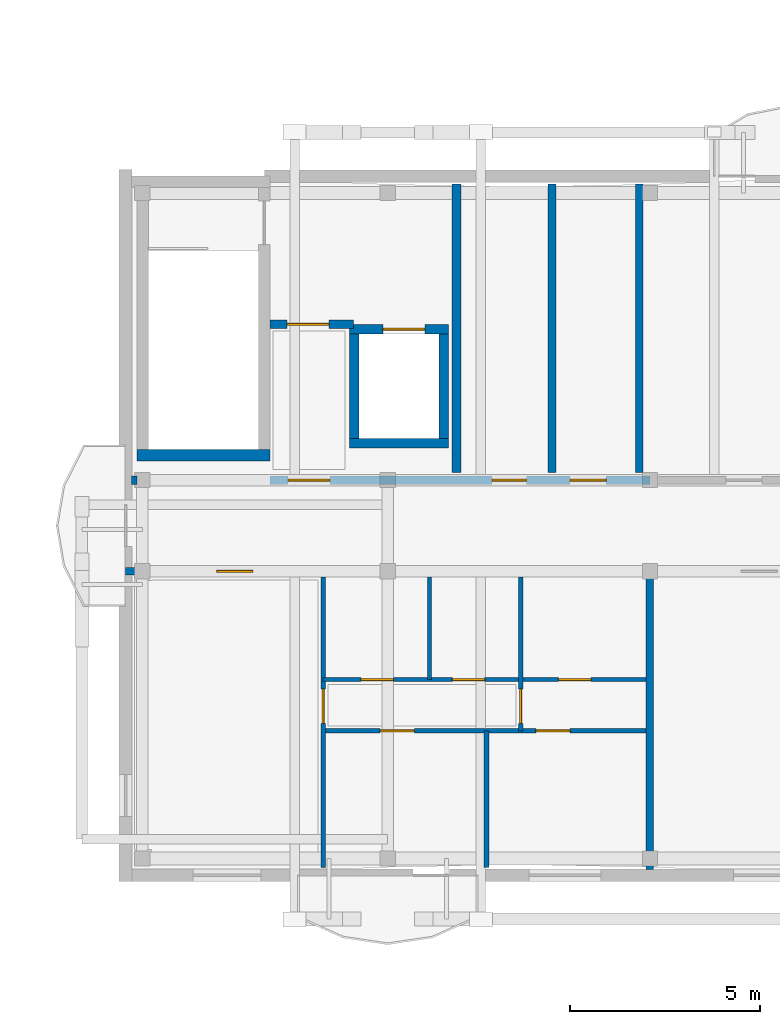
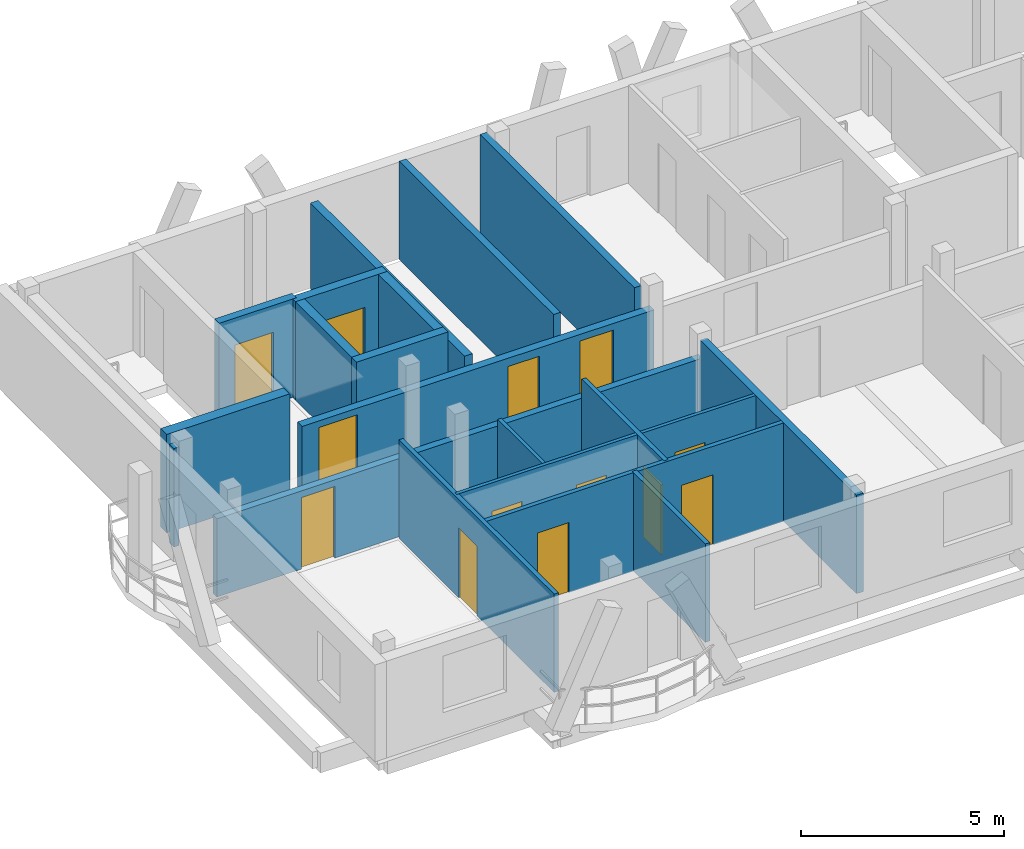
# One storey, part 24 of 41: 19 walls, 13 doors, 13 openings.
"""IFC4 building model written with IfcOpenShell, lengths in metres."""

from ifc_helpers import new_model, si_unit, direction, frame, frame_2d, origin, origin_with_axes, place, context, subcontext, project, spatial, rectangle, extrude, material, layer, layer_set, type_object, element, fill, save


model = new_model("IFC4")

# Units and contexts
model_context = context("Model", 3, precision=1e-05, world=origin(), true_north=direction((0.0, 1.0)))
body_context = subcontext(model_context, "Body", "Model", "MODEL_VIEW")
ifc_project = project(units=[si_unit("LENGTHUNIT", "METRE"), si_unit("AREAUNIT", "SQUARE_METRE"), si_unit("VOLUMEUNIT", "CUBIC_METRE"), si_unit("PLANEANGLEUNIT", "RADIAN"), si_unit("MASSUNIT", "GRAM", prefix="KILO")], contexts=[model_context])

# Site, building, storey
site_placement = place(None, origin())
site = spatial("IfcSite", under=ifc_project, at=site_placement, CompositionType="ELEMENT")
building_placement = place(site_placement, origin())
building = spatial("IfcBuilding", under=site, at=building_placement, Name="Zavelmont Quarter", CompositionType="ELEMENT")
storey_placement = place(building_placement, frame((0.0, 0.0, 27.199951171875)))
storey = spatial("IfcBuildingStorey", under=building, at=storey_placement, Name="L08", CompositionType="ELEMENT", Elevation=27.199951171875)

# Walls
ifc_material_1 = material(Name="Calcium-silicate blockwork and acoustic plaster", Category="masonry")
ifc_layer_1 = layer(ifc_material_1, 0.199951171875)
ifc_layer_set_1 = layer_set([ifc_layer_1], Name="Calcium-silicate blockwork and acoustic plaster")
wall_type_1 = type_object("IfcWallType", Name="IW01", PredefinedType="PARTITIONING", material=ifc_layer_set_1)
for number, where, z_axis, x_axis, name in (
    (1, (137.824951171875, 10.60009765625, 0.0), (0.0, 0.0, 1.0), (0.0, 1.0, 0.0), "L08 Service riser divider wall IW01"),
    (2, (140.1201171875, 10.60009765625, 0.0), (0.0, 0.0, 1.0), (0.0, 1.0, 0.0), "L08 Core service end wall IW01"),
):
    element("IfcWall", number, at=place(storey_placement, frame(where, z_axis=z_axis, x_axis=x_axis)), inside=storey, type_object=wall_type_1, Name=name, PredefinedType="PARTITIONING", context=body_context, shape_type="SweptSolid", body=[
        extrude(rectangle(XDim=7.599853515625, YDim=0.199951171875, at=frame_2d((3.7998046875, 0.0))), origin(), (0.0, 0.0, 1.0), 2.9599609375),
    ])
wall_1_placement = place(storey_placement, frame((140.39990234375, 7.85009765625, 0.0), z_axis=(0.0, 0.0, 1.0), x_axis=(0.0, -1.0, 0.0)))
element("IfcWall", 3, at=wall_1_placement, inside=storey, type_object=wall_type_1, Name="L08 Inter-dwelling compartment wall IW01", PredefinedType="PARTITIONING", context=body_context, shape_type="SweptSolid", body=[
    extrude(rectangle(XDim=7.7001953125, YDim=0.199951171875, at=frame_2d((3.85009765625, 0.0))), origin(), (0.0, 0.0, 1.0), 2.9599609375),
])

# Wall, opening, door
wall_2_placement = place(storey_placement, frame((126.60009765625, 8.0, 0.0), z_axis=(0.0, 0.0, 1.0), x_axis=(1.0, 0.0, 0.0)))
wall_2 = element("IfcWall", 4, at=wall_2_placement, inside=storey, type_object=wall_type_1, Name="L08 Corridor compartment wall IW01", PredefinedType="PARTITIONING", context=body_context, shape_type="SweptSolid", body=[
    extrude(rectangle(XDim=13.7998046875, YDim=0.199951171875, at=frame_2d((6.89990234375, 0.0))), origin(), (0.0, 0.0, 1.0), 2.35009765625),
])
opening_1_placement = place(wall_2_placement, frame((2.39990234375, 0.0, 0.0)))
opening_1 = element("IfcOpeningElement", 5, at=opening_1_placement, cuts=wall_2, Name="Opening DR02", PredefinedType="OPENING", context=body_context, shape_type="SweptSolid", body=[
    extrude(rectangle(XDim=0.949951171875, YDim=2.14990234375, at=frame_2d((0.47509765625, 1.074951171875))), frame((0.0, 0.11181640625, 0.0), z_axis=(0.0, -1.0, 0.0), x_axis=(1.0, 0.0, 0.0)), (0.0, 0.0, 1.0), 0.223876953125),
])
ifc_material_2 = material(Name="Solid-core oak fire leaf in steel frame", Category="steel")
door_type_1 = type_object("IfcDoorType", Name="DR02", OperationType="NOTDEFINED", PredefinedType="DOOR", material=ifc_material_2)
door_1_placement = place(opening_1_placement, frame((0.949951171875, 0.0, 0.0), z_axis=(0.0, 0.0, 1.0), x_axis=(-1.0, 0.0, 0.0)))
door_1 = element("IfcDoor", 6, at=door_1_placement, inside=storey, type_object=door_type_1, Name="L08 door DR02", OperationType="SINGLE_SWING_LEFT", OverallHeight=2.14990234375, OverallWidth=0.949951171875, PredefinedType="DOOR", context=body_context, shape_type="SweptSolid", body=[
    extrude(rectangle(XDim=0.949951171875, YDim=2.14990234375, at=frame_2d((0.47509765625, 1.074951171875))), frame((0.0, 0.02490234375, 0.0), z_axis=(0.0, -1.0, 0.0), x_axis=(1.0, 0.0, 0.0)), (0.0, 0.0, 1.0), 0.050048828125),
])
fill(opening_1, door_1)

# Wall
ifc_material_3 = material(Name="Reinforced masonry fire compartment wall", Category="masonry")
ifc_layer_2 = layer(ifc_material_3, 0.22509765625)
ifc_layer_set_2 = layer_set([ifc_layer_2], Name="Reinforced masonry fire compartment wall")
wall_type_2 = type_object("IfcWallType", Name="IW02", PredefinedType="PARTITIONING", material=ifc_layer_set_2)
wall_3_placement = place(storey_placement, frame((135.31005859375, 10.60009765625, 0.0), z_axis=(0.0, 0.0, 1.0), x_axis=(0.0, 1.0, 0.0)))
element("IfcWall", 7, at=wall_3_placement, inside=storey, type_object=wall_type_2, Name="L08 Firefighting lobby enclosure wall IW02", PredefinedType="PARTITIONING", context=body_context, shape_type="SweptSolid", body=[
    extrude(rectangle(XDim=7.599853515625, YDim=0.22509765625, at=frame_2d((3.7998046875, 0.0))), origin(), (0.0, 0.0, 1.0), 2.590087890625),
])

# Wall, opening, door
wall_4_placement = place(storey_placement, frame((130.39990234375, 14.5, 0.0), z_axis=(0.0, 0.0, 1.0), x_axis=(1.0, 0.0, 0.0)))
wall_4 = element("IfcWall", 8, at=wall_4_placement, inside=storey, type_object=wall_type_2, Name="L08 Firefighting lobby threshold wall IW02", PredefinedType="PARTITIONING", context=body_context, shape_type="SweptSolid", body=[
    extrude(rectangle(XDim=2.2001953125, YDim=0.22509765625, at=frame_2d((1.10009765625, 0.0))), origin(), (0.0, 0.0, 1.0), 2.9599609375),
])
opening_2_placement = place(wall_4_placement, frame((0.449951171875, 0.0, 0.0)))
opening_2 = element("IfcOpeningElement", 9, at=opening_2_placement, cuts=wall_4, Name="Opening DR10", PredefinedType="OPENING", context=body_context, shape_type="SweptSolid", body=[
    extrude(rectangle(XDim=1.10009765625, YDim=2.14990234375, at=frame_2d((0.550048828125, 1.074951171875))), frame((0.0, 0.12451171875, 0.0), z_axis=(0.0, -1.0, 0.0), x_axis=(1.0, 0.0, 0.0)), (0.0, 0.0, 1.0), 0.2490234375),
])
ifc_material_4 = material(Name="Painted steel lobby fire door", Category="steel")
door_type_2 = type_object("IfcDoorType", Name="DR10", OperationType="NOTDEFINED", PredefinedType="DOOR", material=ifc_material_4)
door_2_placement = place(opening_2_placement, origin_with_axes())
door_2 = element("IfcDoor", 10, at=door_2_placement, inside=storey, type_object=door_type_2, Name="Firefighting lobby fire door", OperationType="SINGLE_SWING_RIGHT", OverallHeight=2.14990234375, OverallWidth=1.10009765625, PredefinedType="DOOR", context=body_context, shape_type="SweptSolid", body=[
    extrude(rectangle(XDim=1.10009765625, YDim=2.14990234375, at=frame_2d((0.550048828125, 1.074951171875))), frame((0.0, 0.02490234375, 0.0), z_axis=(0.0, -1.0, 0.0), x_axis=(1.0, 0.0, 0.0)), (0.0, 0.0, 1.0), 0.050048828125),
])
fill(opening_2, door_2)

# Wall
wall_5_placement = place(storey_placement, frame((126.75, 10.39990234375, 0.0), z_axis=(0.0, 0.0, 1.0), x_axis=(1.0, 0.0, 0.0)))
element("IfcWall", 11, at=wall_5_placement, inside=storey, type_object=wall_type_2, Name="L08 Core corridor wall IW02", PredefinedType="PARTITIONING", context=body_context, shape_type="SweptSolid", body=[
    extrude(rectangle(XDim=0.14990234375, YDim=0.22509765625, at=frame_2d((0.074951171875, 0.0))), origin(), (0.0, 0.0, 1.0), 2.9599609375),
])

# Wall, openings, doors
wall_6_placement = place(storey_placement, frame((130.39990234375, 10.39990234375, 0.0), z_axis=(0.0, 0.0, 1.0), x_axis=(1.0, 0.0, 0.0)))
wall_6 = element("IfcWall", 12, at=wall_6_placement, inside=storey, type_object=wall_type_2, Name="L08 Core corridor fire wall IW02", PredefinedType="PARTITIONING", context=body_context, shape_type="SweptSolid", body=[
    extrude(rectangle(XDim=10.0, YDim=0.22509765625, at=frame_2d((5.0, 0.0))), origin(), (0.0, 0.0, 1.0), 2.35009765625),
])
opening_3_placement = place(wall_6_placement, frame((0.47509765625, 0.0, 0.0)))
opening_3 = element("IfcOpeningElement", 13, at=opening_3_placement, cuts=wall_6, Name="Opening DR10", PredefinedType="OPENING", context=body_context, shape_type="SweptSolid", body=[
    extrude(rectangle(XDim=1.10009765625, YDim=2.14990234375, at=frame_2d((0.550048828125, 1.074951171875))), frame((0.0, 0.12451171875, 0.0), z_axis=(0.0, -1.0, 0.0), x_axis=(1.0, 0.0, 0.0)), (0.0, 0.0, 1.0), 0.2490234375),
])
opening_4_placement = place(wall_6_placement, frame((5.85009765625, 0.0, 0.0)))
opening_4 = element("IfcOpeningElement", 14, at=opening_4_placement, cuts=wall_6, Name="Opening DR11", PredefinedType="OPENING", context=body_context, shape_type="SweptSolid", body=[
    extrude(rectangle(XDim=0.89990234375, YDim=2.10009765625, at=frame_2d((0.449951171875, 1.050048828125))), frame((0.0, 0.12451171875, 0.0), z_axis=(0.0, -1.0, 0.0), x_axis=(1.0, 0.0, 0.0)), (0.0, 0.0, 1.0), 0.2490234375),
])
opening_5_placement = place(wall_6_placement, frame((7.89990234375, 0.0, 0.0)))
opening_5 = element("IfcOpeningElement", 15, at=opening_5_placement, cuts=wall_6, Name="Opening DR02", PredefinedType="OPENING", context=body_context, shape_type="SweptSolid", body=[
    extrude(rectangle(XDim=0.949951171875, YDim=2.14990234375, at=frame_2d((0.47509765625, 1.074951171875))), frame((0.0, 0.12451171875, 0.0), z_axis=(0.0, -1.0, 0.0), x_axis=(1.0, 0.0, 0.0)), (0.0, 0.0, 1.0), 0.2490234375),
])
door_3_placement = place(opening_5_placement, frame((0.949951171875, 0.0, 0.0), z_axis=(0.0, 0.0, 1.0), x_axis=(-1.0, 0.0, 0.0)))
door_3 = element("IfcDoor", 16, at=door_3_placement, inside=storey, type_object=door_type_1, Name="Auxiliary store corridor door", OperationType="SINGLE_SWING_RIGHT", OverallHeight=2.14990234375, OverallWidth=0.949951171875, PredefinedType="DOOR", context=body_context, shape_type="SweptSolid", body=[
    extrude(rectangle(XDim=0.949951171875, YDim=2.14990234375, at=frame_2d((0.47509765625, 1.074951171875))), frame((0.0, 0.02490234375, 0.0), z_axis=(0.0, -1.0, 0.0), x_axis=(1.0, 0.0, 0.0)), (0.0, 0.0, 1.0), 0.050048828125),
])
fill(opening_5, door_3)
door_4_placement = place(opening_3_placement, origin_with_axes())
door_4 = element("IfcDoor", 17, at=door_4_placement, inside=storey, type_object=door_type_2, Name="Core vestibule fire door", OperationType="SINGLE_SWING_LEFT", OverallHeight=2.14990234375, OverallWidth=1.10009765625, PredefinedType="DOOR", context=body_context, shape_type="SweptSolid", body=[
    extrude(rectangle(XDim=1.10009765625, YDim=2.14990234375, at=frame_2d((0.550048828125, 1.074951171875))), frame((0.0, 0.02490234375, 0.0), z_axis=(0.0, -1.0, 0.0), x_axis=(1.0, 0.0, 0.0)), (0.0, 0.0, 1.0), 0.050048828125),
])
fill(opening_3, door_4)
ifc_material_5 = material(Name="Painted steel service-riser fire door", Category="steel")
door_type_3 = type_object("IfcDoorType", Name="DR11", OperationType="NOTDEFINED", PredefinedType="DOOR", material=ifc_material_5)
door_5_placement = place(opening_4_placement, frame((0.89990234375, 0.0, 0.0), z_axis=(0.0, 0.0, 1.0), x_axis=(-1.0, 0.0, 0.0)))
door_5 = element("IfcDoor", 18, at=door_5_placement, inside=storey, type_object=door_type_3, Name="Service riser fire door", OperationType="SINGLE_SWING_LEFT", OverallHeight=2.10009765625, OverallWidth=0.89990234375, PredefinedType="DOOR", context=body_context, shape_type="SweptSolid", body=[
    extrude(rectangle(XDim=0.89990234375, YDim=2.10009765625, at=frame_2d((0.449951171875, 1.050048828125))), frame((0.0, 0.02490234375, 0.0), z_axis=(0.0, -1.0, 0.0), x_axis=(1.0, 0.0, 0.0)), (0.0, 0.0, 1.0), 0.050048828125),
])
fill(opening_4, door_5)

# Wall, opening, door
ifc_material_6 = material(Name="Double gypsum board on acoustic steel stud", Category="steel")
ifc_layer_3 = layer(ifc_material_6, 0.125)
ifc_layer_set_3 = layer_set([ifc_layer_3], Name="Double gypsum board on acoustic steel stud")
wall_type_3 = type_object("IfcWallType", Name="IW03", PredefinedType="PARTITIONING", material=ifc_layer_set_3)
wall_7_placement = place(storey_placement, frame((131.800048828125, 7.85009765625, 0.0), z_axis=(0.0, 0.0, 1.0), x_axis=(0.0, -1.0, 0.0)))
wall_7 = element("IfcWall", 19, at=wall_7_placement, inside=storey, type_object=wall_type_3, Name="L08 Partition IW03", PredefinedType="PARTITIONING", context=body_context, shape_type="SweptSolid", body=[
    extrude(rectangle(XDim=7.650146484375, YDim=0.125, at=frame_2d((3.8251953125, 0.0))), origin(), (0.0, 0.0, 1.0), 2.9599609375),
])
opening_6_placement = place(wall_7_placement, frame((2.949951171875, 0.0, 0.0)))
opening_6 = element("IfcOpeningElement", 20, at=opening_6_placement, cuts=wall_7, Name="Opening DR05", PredefinedType="OPENING", context=body_context, shape_type="SweptSolid", body=[
    extrude(rectangle(XDim=0.89990234375, YDim=2.10009765625, at=frame_2d((0.449951171875, 1.050048828125))), frame((0.0, 0.074462890625, 0.0), z_axis=(0.0, -1.0, 0.0), x_axis=(1.0, 0.0, 0.0)), (0.0, 0.0, 1.0), 0.14892578125),
])
ifc_material_7 = material(Name="Engineered oak flush interior door")
door_type_4 = type_object("IfcDoorType", Name="DR05", OperationType="NOTDEFINED", PredefinedType="DOOR", material=ifc_material_7)
door_6_placement = place(opening_6_placement, frame((0.89990234375, 0.0, 0.0), z_axis=(0.0, 0.0, 1.0), x_axis=(-1.0, 0.0, 0.0)))
door_6 = element("IfcDoor", 21, at=door_6_placement, inside=storey, type_object=door_type_4, Name="L08 door DR05", OperationType="SINGLE_SWING_LEFT", OverallHeight=2.10009765625, OverallWidth=0.89990234375, PredefinedType="DOOR", context=body_context, shape_type="SweptSolid", body=[
    extrude(rectangle(XDim=0.89990234375, YDim=2.10009765625, at=frame_2d((0.449951171875, 1.050048828125))), frame((0.0, 0.02490234375, 0.0), z_axis=(0.0, -1.0, 0.0), x_axis=(1.0, 0.0, 0.0)), (0.0, 0.0, 1.0), 0.050048828125),
])
fill(opening_6, door_6)

wall_8_placement = place(storey_placement, frame((137.0, 7.85009765625, 0.0), z_axis=(0.0, 0.0, 1.0), x_axis=(0.0, -1.0, 0.0)))
wall_8 = element("IfcWall", 22, at=wall_8_placement, inside=storey, type_object=wall_type_3, Name="L08 Partition IW03", PredefinedType="PARTITIONING", context=body_context, shape_type="SweptSolid", body=[
    extrude(rectangle(XDim=4.050048828125, YDim=0.125, at=frame_2d((2.02490234375, 0.0))), origin(), (0.0, 0.0, 1.0), 2.9599609375),
])
opening_7_placement = place(wall_8_placement, frame((2.949951171875, 0.0, 0.0)))
opening_7 = element("IfcOpeningElement", 23, at=opening_7_placement, cuts=wall_8, Name="Opening DR05", PredefinedType="OPENING", context=body_context, shape_type="SweptSolid", body=[
    extrude(rectangle(XDim=0.89990234375, YDim=2.10009765625, at=frame_2d((0.449951171875, 1.050048828125))), frame((0.0, 0.074462890625, 0.0), z_axis=(0.0, -1.0, 0.0), x_axis=(1.0, 0.0, 0.0)), (0.0, 0.0, 1.0), 0.14892578125),
])
door_7_placement = place(opening_7_placement, origin_with_axes())
door_7 = element("IfcDoor", 24, at=door_7_placement, inside=storey, type_object=door_type_4, Name="L08 door DR05", OperationType="SINGLE_SWING_RIGHT", OverallHeight=2.10009765625, OverallWidth=0.89990234375, PredefinedType="DOOR", context=body_context, shape_type="SweptSolid", body=[
    extrude(rectangle(XDim=0.89990234375, YDim=2.10009765625, at=frame_2d((0.449951171875, 1.050048828125))), frame((0.0, 0.02490234375, 0.0), z_axis=(0.0, -1.0, 0.0), x_axis=(1.0, 0.0, 0.0)), (0.0, 0.0, 1.0), 0.050048828125),
])
fill(opening_7, door_7)

# Wall
wall_9_placement = place(storey_placement, frame((136.10009765625, 3.800048828125, 0.0), z_axis=(0.0, 0.0, 1.0), x_axis=(0.0, -1.0, 0.0)))
element("IfcWall", 25, at=wall_9_placement, inside=storey, type_object=wall_type_3, Name="L08 Partition IW03", PredefinedType="PARTITIONING", context=body_context, shape_type="SweptSolid", body=[
    extrude(rectangle(XDim=3.60009765625, YDim=0.125, at=frame_2d((1.800048828125, 0.0))), origin(), (0.0, 0.0, 1.0), 2.9599609375),
])

# Wall, openings, doors
wall_10_placement = place(storey_placement, frame((131.800048828125, 3.800048828125, 0.0), z_axis=(0.0, 0.0, 1.0), x_axis=(1.0, 0.0, 0.0)))
wall_10 = element("IfcWall", 26, at=wall_10_placement, inside=storey, type_object=wall_type_3, Name="L08 Partition IW03", PredefinedType="PARTITIONING", context=body_context, shape_type="SweptSolid", body=[
    extrude(rectangle(XDim=8.5, YDim=0.125, at=frame_2d((4.25, 0.0))), origin(), (0.0, 0.0, 1.0), 2.9599609375),
])
opening_8_placement = place(wall_10_placement, frame((1.5, 0.0, 0.0)))
opening_8 = element("IfcOpeningElement", 27, at=opening_8_placement, cuts=wall_10, Name="Opening DR05", PredefinedType="OPENING", context=body_context, shape_type="SweptSolid", body=[
    extrude(rectangle(XDim=0.89990234375, YDim=2.10009765625, at=frame_2d((0.449951171875, 1.050048828125))), frame((0.0, 0.074462890625, 0.0), z_axis=(0.0, -1.0, 0.0), x_axis=(1.0, 0.0, 0.0)), (0.0, 0.0, 1.0), 0.14892578125),
])
opening_9_placement = place(wall_10_placement, frame((5.60009765625, 0.0, 0.0)))
opening_9 = element("IfcOpeningElement", 28, at=opening_9_placement, cuts=wall_10, Name="Opening DR05", PredefinedType="OPENING", context=body_context, shape_type="SweptSolid", body=[
    extrude(rectangle(XDim=0.89990234375, YDim=2.10009765625, at=frame_2d((0.449951171875, 1.050048828125))), frame((0.0, 0.074462890625, 0.0), z_axis=(0.0, -1.0, 0.0), x_axis=(1.0, 0.0, 0.0)), (0.0, 0.0, 1.0), 0.14892578125),
])
door_8_placement = place(opening_8_placement, origin_with_axes())
door_8 = element("IfcDoor", 29, at=door_8_placement, inside=storey, type_object=door_type_4, Name="L08 door DR05", OperationType="SINGLE_SWING_RIGHT", OverallHeight=2.10009765625, OverallWidth=0.89990234375, PredefinedType="DOOR", context=body_context, shape_type="SweptSolid", body=[
    extrude(rectangle(XDim=0.89990234375, YDim=2.10009765625, at=frame_2d((0.449951171875, 1.050048828125))), frame((0.0, 0.02490234375, 0.0), z_axis=(0.0, -1.0, 0.0), x_axis=(1.0, 0.0, 0.0)), (0.0, 0.0, 1.0), 0.050048828125),
])
fill(opening_8, door_8)
door_9_placement = place(opening_9_placement, frame((0.89990234375, 0.0, 0.0), z_axis=(0.0, 0.0, 1.0), x_axis=(-1.0, 0.0, 0.0)))
door_9 = element("IfcDoor", 30, at=door_9_placement, inside=storey, type_object=door_type_4, Name="L08 door DR05", OperationType="SINGLE_SWING_LEFT", OverallHeight=2.10009765625, OverallWidth=0.89990234375, PredefinedType="DOOR", context=body_context, shape_type="SweptSolid", body=[
    extrude(rectangle(XDim=0.89990234375, YDim=2.10009765625, at=frame_2d((0.449951171875, 1.050048828125))), frame((0.0, 0.02490234375, 0.0), z_axis=(0.0, -1.0, 0.0), x_axis=(1.0, 0.0, 0.0)), (0.0, 0.0, 1.0), 0.050048828125),
])
fill(opening_9, door_9)

# Wall
ifc_material_8 = material(Name="Moisture-resistant gypsum board on steel stud", Category="steel")
ifc_layer_4 = layer(ifc_material_8, 0.10009765625)
ifc_layer_set_4 = layer_set([ifc_layer_4], Name="Moisture-resistant gypsum board on steel stud")
wall_type_4 = type_object("IfcWallType", Name="IW04", PredefinedType="PARTITIONING", material=ifc_layer_set_4)
wall_11_placement = place(storey_placement, frame((134.60009765625, 7.85009765625, 0.0), z_axis=(0.0, 0.0, 1.0), x_axis=(0.0, -1.0, 0.0)))
element("IfcWall", 31, at=wall_11_placement, inside=storey, type_object=wall_type_4, Name="L08 Partition IW04", PredefinedType="PARTITIONING", context=body_context, shape_type="SweptSolid", body=[
    extrude(rectangle(XDim=2.7001953125, YDim=0.10009765625, at=frame_2d((1.35009765625, 0.0))), origin(), (0.0, 0.0, 1.0), 2.590087890625),
])

# Wall, openings, doors
wall_12_placement = place(storey_placement, frame((131.800048828125, 5.14990234375, 0.0), z_axis=(0.0, 0.0, 1.0), x_axis=(1.0, 0.0, 0.0)))
wall_12 = element("IfcWall", 32, at=wall_12_placement, inside=storey, type_object=wall_type_4, Name="L08 Partition IW04", PredefinedType="PARTITIONING", context=body_context, shape_type="SweptSolid", body=[
    extrude(rectangle(XDim=8.5, YDim=0.10009765625, at=frame_2d((4.25, 0.0))), origin(), (0.0, 0.0, 1.0), 2.9599609375),
])
opening_10_placement = place(wall_12_placement, frame((1.0, 0.0, 0.0)))
opening_10 = element("IfcOpeningElement", 33, at=opening_10_placement, cuts=wall_12, Name="Opening DR16", PredefinedType="OPENING", context=body_context, shape_type="SweptSolid", body=[
    extrude(rectangle(XDim=0.85009765625, YDim=2.10009765625, at=frame_2d((0.425048828125, 1.050048828125))), frame((0.0, 0.06201171875, 0.0), z_axis=(0.0, -1.0, 0.0), x_axis=(1.0, 0.0, 0.0)), (0.0, 0.0, 1.0), 0.1240234375),
])
opening_11_placement = place(wall_12_placement, frame((3.39990234375, 0.0, 0.0)))
opening_11 = element("IfcOpeningElement", 34, at=opening_11_placement, cuts=wall_12, Name="Opening DR06", PredefinedType="OPENING", context=body_context, shape_type="SweptSolid", body=[
    extrude(rectangle(XDim=0.85009765625, YDim=2.050048828125, at=frame_2d((0.425048828125, 1.02490234375))), frame((0.0, 0.06201171875, 0.0), z_axis=(0.0, -1.0, 0.0), x_axis=(1.0, 0.0, 0.0)), (0.0, 0.0, 1.0), 0.1240234375),
])
opening_12_placement = place(wall_12_placement, frame((6.199951171875, 0.0, 0.0)))
opening_12 = element("IfcOpeningElement", 35, at=opening_12_placement, cuts=wall_12, Name="Opening DR06", PredefinedType="OPENING", context=body_context, shape_type="SweptSolid", body=[
    extrude(rectangle(XDim=0.85009765625, YDim=2.050048828125, at=frame_2d((0.425048828125, 1.02490234375))), frame((0.0, 0.06201171875, 0.0), z_axis=(0.0, -1.0, 0.0), x_axis=(1.0, 0.0, 0.0)), (0.0, 0.0, 1.0), 0.1240234375),
])
ifc_material_9 = material(Name="Moisture-resistant painted wet-room door")
door_type_5 = type_object("IfcDoorType", Name="DR06", OperationType="NOTDEFINED", PredefinedType="DOOR", material=ifc_material_9)
door_10_placement = place(opening_11_placement, origin_with_axes())
door_10 = element("IfcDoor", 36, at=door_10_placement, inside=storey, type_object=door_type_5, Name="L08 door DR06", OperationType="SINGLE_SWING_RIGHT", OverallHeight=2.050048828125, OverallWidth=0.85009765625, PredefinedType="DOOR", context=body_context, shape_type="SweptSolid", body=[
    extrude(rectangle(XDim=0.85009765625, YDim=2.050048828125, at=frame_2d((0.425048828125, 1.02490234375))), frame((0.0, 0.02490234375, 0.0), z_axis=(0.0, -1.0, 0.0), x_axis=(1.0, 0.0, 0.0)), (0.0, 0.0, 1.0), 0.050048828125),
])
fill(opening_11, door_10)
door_11_placement = place(opening_12_placement, frame((0.85009765625, 0.0, 0.0), z_axis=(0.0, 0.0, 1.0), x_axis=(-1.0, 0.0, 0.0)))
door_11 = element("IfcDoor", 37, at=door_11_placement, inside=storey, type_object=door_type_5, Name="L08 door DR06", OperationType="SINGLE_SWING_LEFT", OverallHeight=2.050048828125, OverallWidth=0.85009765625, PredefinedType="DOOR", context=body_context, shape_type="SweptSolid", body=[
    extrude(rectangle(XDim=0.85009765625, YDim=2.050048828125, at=frame_2d((0.425048828125, 1.02490234375))), frame((0.0, 0.02490234375, 0.0), z_axis=(0.0, -1.0, 0.0), x_axis=(1.0, 0.0, 0.0)), (0.0, 0.0, 1.0), 0.050048828125),
])
fill(opening_12, door_11)
door_type_6 = type_object("IfcDoorType", Name="DR16", OperationType="NOTDEFINED", PredefinedType="DOOR", material=ifc_material_7)
door_12_placement = place(opening_10_placement, frame((0.85009765625, 0.0, 0.0), z_axis=(0.0, 0.0, 1.0), x_axis=(-1.0, 0.0, 0.0)))
door_12 = element("IfcDoor", 38, at=door_12_placement, inside=storey, type_object=door_type_6, Name="L08 door DR16", OperationType="SINGLE_SWING_LEFT", OverallHeight=2.10009765625, OverallWidth=0.85009765625, PredefinedType="DOOR", context=body_context, shape_type="SweptSolid", body=[
    extrude(rectangle(XDim=0.85009765625, YDim=2.10009765625, at=frame_2d((0.425048828125, 1.050048828125))), frame((0.0, 0.02490234375, 0.0), z_axis=(0.0, -1.0, 0.0), x_axis=(1.0, 0.0, 0.0)), (0.0, 0.0, 1.0), 0.050048828125),
])
fill(opening_10, door_12)

# Wall
ifc_material_10 = material(Name="Concrete C40/50", Category="concrete")
ifc_layer_5 = layer(ifc_material_10, 0.300048828125)
ifc_layer_set_5 = layer_set([ifc_layer_5], Name="Concrete C40/50")
wall_type_5 = type_object("IfcWallType", Name="SW01", PredefinedType="SHEAR", material=ifc_layer_set_5)
wall_13_placement = place(storey_placement, frame((126.89990234375, 11.050048828125, 0.0), z_axis=(0.0, 0.0, 1.0), x_axis=(1.0, 0.0, 0.0)))
element("IfcWall", 39, at=wall_13_placement, inside=storey, type_object=wall_type_5, Name="L08 ST07 corridor shear wall SW01", PredefinedType="SHEAR", context=body_context, shape_type="SweptSolid", body=[
    extrude(rectangle(XDim=3.5, YDim=0.300048828125, at=frame_2d((1.75, 0.0))), origin(), (0.0, 0.0, 1.0), 2.9599609375),
])

# Wall, opening, door
ifc_layer_6 = layer(ifc_material_10, 0.25)
ifc_layer_set_6 = layer_set([ifc_layer_6], Name="Concrete C40/50")
wall_type_6 = type_object("IfcWallType", Name="SW02", PredefinedType="SHEAR", material=ifc_layer_set_6)
wall_14_placement = place(storey_placement, frame((132.5, 14.375, 0.0), z_axis=(0.0, 0.0, 1.0), x_axis=(1.0, 0.0, 0.0)))
wall_14 = element("IfcWall", 40, at=wall_14_placement, inside=storey, type_object=wall_type_6, Name="L08 Lift FL04 landing shaft wall SW02", PredefinedType="SHEAR", context=body_context, shape_type="SweptSolid", body=[
    extrude(rectangle(XDim=2.60009765625, YDim=0.25, at=frame_2d((1.300048828125, 0.0))), origin(), (0.0, 0.0, 1.0), 2.9599609375),
])
opening_13_placement = place(wall_14_placement, frame((0.875, 0.0, 0.0)))
opening_13 = element("IfcOpeningElement", 41, at=opening_13_placement, cuts=wall_14, Name="Opening LD02", PredefinedType="OPENING", context=body_context, shape_type="SweptSolid", body=[
    extrude(rectangle(XDim=1.10009765625, YDim=2.10009765625, at=frame_2d((0.550048828125, 1.050048828125))), frame((0.0, 0.136962890625, 0.0), z_axis=(0.0, -1.0, 0.0), x_axis=(1.0, 0.0, 0.0)), (0.0, 0.0, 1.0), 0.27392578125),
])
ifc_material_11 = material(Name="Brushed stainless-steel firefighting lift landing door", Category="steel")
door_type_7 = type_object("IfcDoorType", Name="LD02", OperationType="SLIDING_TO_LEFT", PredefinedType="DOOR", material=ifc_material_11)
door_13_placement = place(opening_13_placement, origin_with_axes())
door_13 = element("IfcDoor", 42, at=door_13_placement, inside=storey, type_object=door_type_7, Name="Lift FL04 sliding landing door", OperationType="SLIDING_TO_LEFT", OverallHeight=2.10009765625, OverallWidth=1.10009765625, PredefinedType="DOOR", context=body_context, shape_type="SweptSolid", body=[
    extrude(rectangle(XDim=1.10009765625, YDim=2.10009765625, at=frame_2d((0.550048828125, 1.050048828125))), frame((0.0, 0.02490234375, 0.0), z_axis=(0.0, -1.0, 0.0), x_axis=(1.0, 0.0, 0.0)), (0.0, 0.0, 1.0), 0.050048828125),
])
fill(opening_13, door_13)

# Walls
wall_15_placement = place(storey_placement, frame((132.5, 11.375, 0.0), z_axis=(0.0, 0.0, 1.0), x_axis=(1.0, 0.0, 0.0)))
element("IfcWall", 43, at=wall_15_placement, inside=storey, type_object=wall_type_6, Name="L08 Lift FL04 back shaft wall SW02", PredefinedType="SHEAR", context=body_context, shape_type="SweptSolid", body=[
    extrude(rectangle(XDim=2.60009765625, YDim=0.25, at=frame_2d((1.300048828125, 0.0))), origin(), (0.0, 0.0, 1.0), 2.9599609375),
])
for number, where, z_axis, x_axis, name in (
    (44, (132.625, 11.25, 0.0), (0.0, 0.0, 1.0), (0.0, 1.0, 0.0), "L08 Lift FL04 west shaft wall SW02"),
    (45, (134.97509765625, 11.25, 0.0), (0.0, 0.0, 1.0), (0.0, 1.0, 0.0), "L08 Lift FL04 east shaft wall SW02"),
):
    element("IfcWall", number, at=place(storey_placement, frame(where, z_axis=z_axis, x_axis=x_axis)), inside=storey, type_object=wall_type_6, Name=name, PredefinedType="SHEAR", context=body_context, shape_type="SweptSolid", body=[
        extrude(rectangle(XDim=3.25, YDim=0.25, at=frame_2d((1.625, 0.0))), origin(), (0.0, 0.0, 1.0), 2.9599609375),
    ])

save(model, "model.ifc")
